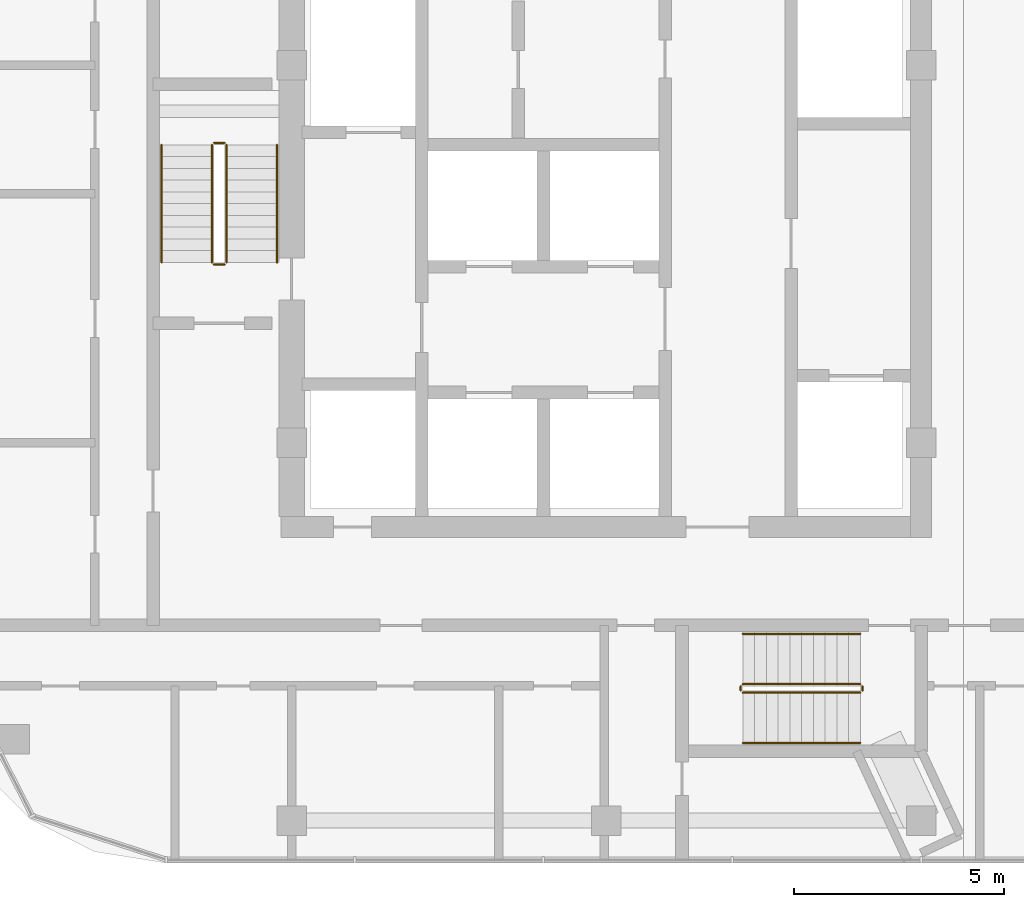
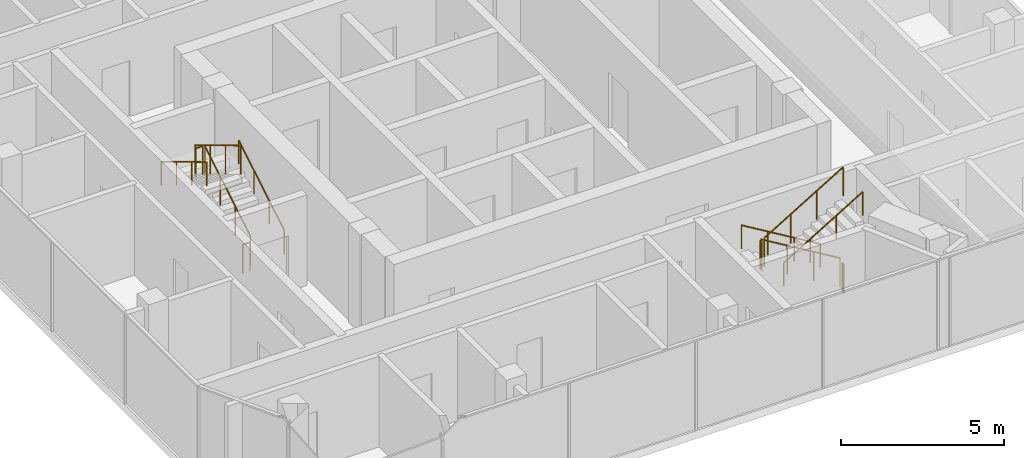
# One storey, part 35 of 35: 12 railings.
"""IFC4 building model written with IfcOpenShell, lengths in metres."""

import ifcopenshell
import ifcopenshell.guid

model = None  # the IFC model being written
_history = None  # IfcOwnerHistory: only IFC2X3 demands one
_inside = {}  # id of a spatial element -> (the spatial element, [elements in it])
_under = {}  # id of a project, library or spatial element -> (it, [spatial elements below it])
_declared = {}  # id of a project -> (the project, [libraries it declares])
_typed = {}  # id of a type object -> (the type object, [elements of that type])
_made_of = {}  # id of a material, layer set ... -> (it, [elements and type objects made of it])


def new_model(schema):
    """Start an empty IFC model of exactly this schema.

    Asked for "IFC4X3", IfcOpenShell would pick the latest addendum, in which some entities
    have other attributes; the version numbers below select the first issue.
    IFC2X3 requires an IfcOwnerHistory on every rooted entity: one is made here for all.
    """
    global model, _history
    if schema == "IFC4X3":
        model = ifcopenshell.file(schema_version=(4, 3, 0, 0))
    else:
        model = ifcopenshell.file(schema=schema)
    _inside.clear()
    _under.clear()
    _declared.clear()
    _typed.clear()
    _made_of.clear()
    _history = None
    if model.schema == "IFC2X3":
        org = make("IfcOrganization", Name="unknown")
        user = make(
            "IfcPersonAndOrganization",
            ThePerson=make("IfcPerson", FamilyName="unknown"),
            TheOrganization=org,
        )
        app = make(
            "IfcApplication",
            ApplicationDeveloper=org,
            Version="unknown",
            ApplicationFullName="unknown",
            ApplicationIdentifier="unknown",
        )
        _history = make(
            "IfcOwnerHistory",
            OwningUser=user,
            OwningApplication=app,
            ChangeAction="ADDED",
            CreationDate=0,
        )
    return model


def make(cls, **values):
    """One entity of the class cls with the attributes given. An attribute that is None is left unset."""
    return model.create_entity(
        cls, **{name: value for name, value in values.items() if value is not None}
    )


def rooted(cls, **values):
    """An entity with a GlobalId (a new one), such as an element, a storey or a relation."""
    return make(cls, GlobalId=ifcopenshell.guid.new(), OwnerHistory=_history, **values)


def si_unit(unit_type, name, prefix=None):
    """IfcSIUnit, for example si_unit("LENGTHUNIT", "METRE", prefix="MILLI")."""
    return make("IfcSIUnit", UnitType=unit_type, Prefix=prefix, Name=name)


def assignment(units):
    """IfcUnitAssignment: the units of a project."""
    return None if units is None else make("IfcUnitAssignment", Units=units)


def point(xyz):
    """IfcCartesianPoint."""
    return None if xyz is None else make("IfcCartesianPoint", Coordinates=xyz)


def direction(xyz):
    """IfcDirection."""
    return None if xyz is None else make("IfcDirection", DirectionRatios=xyz)


def frame(location, z_axis=None, x_axis=None):
    """IfcAxis2Placement3D, a coordinate frame: its origin and axes. An axis left out is left unset."""
    return make(
        "IfcAxis2Placement3D",
        Location=point(location),
        Axis=direction(z_axis),
        RefDirection=direction(x_axis),
    )


def frame_2d(location, x_axis=None):
    """IfcAxis2Placement2D, a coordinate frame in the plane: its origin and x axis."""
    return make(
        "IfcAxis2Placement2D", Location=point(location), RefDirection=direction(x_axis)
    )


def origin():
    """The frame at (0, 0, 0) with its axes left unset."""
    return frame((0.0, 0.0, 0.0))


def origin_2d():
    """The frame at (0, 0) in the plane with its x axis left unset."""
    return frame_2d((0.0, 0.0))


def place(relative_to, where):
    """IfcLocalPlacement: puts the frame where relative to a parent placement (None: the world)."""
    return make(
        "IfcLocalPlacement", PlacementRelTo=relative_to, RelativePlacement=where
    )


def context(
    kind, dimensions, precision=None, world=None, true_north=None, identifier=None
):
    """IfcGeometricRepresentationContext, for example the 3D "Model" context."""
    return make(
        "IfcGeometricRepresentationContext",
        ContextIdentifier=identifier,
        ContextType=kind,
        CoordinateSpaceDimension=dimensions,
        Precision=precision,
        WorldCoordinateSystem=world,
        TrueNorth=true_north,
    )


def subcontext(parent, identifier, kind, view, scale=None):
    """IfcGeometricRepresentationSubContext, for example "Body" below "Model"."""
    return make(
        "IfcGeometricRepresentationSubContext",
        ContextIdentifier=identifier,
        ContextType=kind,
        ParentContext=parent,
        TargetScale=scale,
        TargetView=view,
    )


def project(units=None, contexts=None):
    """IfcProject with its units and contexts."""
    return rooted(
        "IfcProject",
        Name="project",
        RepresentationContexts=contexts,
        UnitsInContext=assignment(units),
    )


def spatial(cls, under=None, at=None, **own):
    """A site, building, storey or space (cls), placed at a placement, below another one or the project."""
    s = rooted(cls, ObjectPlacement=at, **own)
    if under is not None:
        _under.setdefault(under.id(), (under, []))[1].append(s)
    return s


def profile(cls, at=None, kind="AREA", **sizes):
    """A parametric profile (cls). Its sizes go by their IFC names, for example OverallWidth=200.0."""
    return make(cls, ProfileType=kind, Position=at, **sizes)


def circle(**sizes):
    """IfcCircleProfileDef."""
    return profile("IfcCircleProfileDef", **sizes)


def extrude(swept, where, along, depth):
    """IfcExtrudedAreaSolid: the profile swept, set in the frame where, extruded along a direction by depth."""
    return make(
        "IfcExtrudedAreaSolid",
        SweptArea=swept,
        Position=where,
        ExtrudedDirection=direction(along),
        Depth=depth,
    )


def shape(context_of_items, identifier, shape_type, items):
    """IfcShapeRepresentation: the items that make up one representation, for example the "Body"."""
    return make(
        "IfcShapeRepresentation",
        ContextOfItems=context_of_items,
        RepresentationIdentifier=identifier,
        RepresentationType=shape_type,
        Items=items,
    )


def material(Name=None, Category=None):
    """IfcMaterial."""
    return make("IfcMaterial", Name=Name, Category=Category)


def made_of(thing, what):
    """Note that an element or type object is made of a material, layer set ...; save() writes the relation."""
    if what is not None:
        _made_of.setdefault(what.id(), (what, []))[1].append(thing)
    return thing


def type_object(cls, material=None, **own):
    """A type object (cls), such as IfcWallType, which elements share."""
    return made_of(rooted(cls, **own), material)


def element(
    cls,
    number,
    at=None,
    inside=None,
    cuts=None,
    type_object=None,
    material=None,
    context=None,
    identifier="Body",
    shape_type=None,
    held_by="IfcProductDefinitionShape",
    body=None,
    shapes=None,
    **own,
):
    """One element of the class cls, such as IfcWall. Its Tag is "e" and its number.

    at: its placement. inside: the storey or other place that contains it. cuts: it is an
    opening in that element (IfcRelVoidsElement). A single representation is given by context,
    identifier, shape_type and body (its items); several are given by shapes. held_by: the class
    of the entity that holds the representations. save() writes the other relations.
    """
    e = rooted(cls, Tag="e%d" % number, ObjectPlacement=at, **own)
    if body is not None:
        shapes = [shape(context, identifier, shape_type, body)]
    if shapes is not None:
        e.Representation = make(held_by, Representations=shapes)
    if inside is not None:
        _inside.setdefault(inside.id(), (inside, []))[1].append(e)
    if cuts is not None:
        rooted(
            "IfcRelVoidsElement", RelatingBuildingElement=cuts, RelatedOpeningElement=e
        )
    if type_object is not None:
        _typed.setdefault(type_object.id(), (type_object, []))[1].append(e)
    return made_of(e, material)


def aggregate(whole, parts):
    """IfcRelAggregates: a whole, such as a stair, and the parts it consists of."""
    return rooted("IfcRelAggregates", RelatingObject=whole, RelatedObjects=parts)


def save(model, path):
    """Write the relations noted so far, then the file.

    IfcRelAggregates (storeys below a building ...), IfcRelContainedInSpatialStructure (elements
    in a storey), IfcRelDefinesByType, IfcRelAssociatesMaterial and IfcRelDeclares: one each for
    every whole, place, type object, material and project.
    """
    for whole, parts in _under.values():
        aggregate(whole, parts)
    for where, things in _inside.values():
        rooted(
            "IfcRelContainedInSpatialStructure",
            RelatedElements=things,
            RelatingStructure=where,
        )
    for kind, things in _typed.values():
        rooted("IfcRelDefinesByType", RelatedObjects=things, RelatingType=kind)
    for what, things in _made_of.values():
        rooted("IfcRelAssociatesMaterial", RelatedObjects=things, RelatingMaterial=what)
    for by, libraries in _declared.values():
        rooted("IfcRelDeclares", RelatingContext=by, RelatedDefinitions=libraries)
    model.write(path)


model = new_model("IFC4")

# Units and contexts
model_context = context("Model", 3, precision=1e-05, world=origin(), true_north=direction((0.0, 1.0)))
body_context = subcontext(model_context, "Body", "Model", "MODEL_VIEW")
ifc_project = project(units=[si_unit("LENGTHUNIT", "METRE"), si_unit("AREAUNIT", "SQUARE_METRE"), si_unit("VOLUMEUNIT", "CUBIC_METRE"), si_unit("PLANEANGLEUNIT", "RADIAN"), si_unit("MASSUNIT", "GRAM", prefix="KILO")], contexts=[model_context])

# Site, building, storey
site_placement = place(None, origin())
site = spatial("IfcSite", under=ifc_project, at=site_placement, CompositionType="ELEMENT")
building_placement = place(site_placement, origin())
building = spatial("IfcBuilding", under=site, at=building_placement, Name="Ogive Portal Towers", CompositionType="ELEMENT")
storey_placement = place(building_placement, frame((0.0, 0.0, 90.800048828125)))
storey = spatial("IfcBuildingStorey", under=building, at=storey_placement, Name="L21", CompositionType="ELEMENT", Elevation=90.800048828125)

# Railings
ifc_material_1 = material(Name="Stainless steel balustrade", Category="steel")
railing_type_1 = type_object("IfcRailingType", Name="INT-GUARD", PredefinedType="GUARDRAIL", material=ifc_material_1)
railing_1_placement = place(storey_placement, frame((127.449951171875, 30.800048828125, 0.168212890625)))
element("IfcRailing", 1, at=railing_1_placement, inside=storey, type_object=railing_type_1, Name="L21 ST-B1 stair guard 1", PredefinedType="GUARDRAIL", context=body_context, shape_type="SweptSolid", body=[
    extrude(circle(Radius=0.02392578125, at=origin_2d()), frame((0.0, 0.0, 1.076171875), z_axis=(0.0, 0.857275202839, 0.514858452973), x_axis=(-1.0, 0.0, 0.0)), (0.0, 0.0, 1.0), 3.26611328125),
    extrude(circle(Radius=0.02099609375, at=origin_2d()), origin(), (0.0, 0.0, 1.0), 1.052001953125),
    extrude(circle(Radius=0.02099609375, at=origin_2d()), frame((0.0, 0.933349609375, 0.560546875)), (0.0, 0.0, 1.0), 1.052001953125),
    extrude(circle(Radius=0.02099609375, at=origin_2d()), frame((0.0, 1.86669921875, 1.12109375)), (0.0, 0.0, 1.0), 1.052001953125),
    extrude(circle(Radius=0.02099609375, at=origin_2d()), frame((0.0, 2.800048828125, 1.681640625)), (0.0, 0.0, 1.0), 1.052001953125),
])
railing_2_placement = place(storey_placement, frame((127.39990234375, 33.64990234375, 1.849853515625)))
element("IfcRailing", 2, at=railing_2_placement, inside=storey, type_object=railing_type_1, Name="L21 ST-B1 stair guard 2", PredefinedType="GUARDRAIL", context=body_context, shape_type="SweptSolid", body=[
    extrude(circle(Radius=0.02392578125, at=origin_2d()), frame((0.0, 0.0, 1.076171875), z_axis=(-1.0, 0.0, 0.0), x_axis=(0.0, -1.0, 0.0)), (0.0, 0.0, 1.0), 0.25),
    extrude(circle(Radius=0.02099609375, at=origin_2d()), origin(), (0.0, 0.0, 1.0), 1.052001953125),
    extrude(circle(Radius=0.02099609375, at=origin_2d()), frame((-0.25, 0.0, 0.0)), (0.0, 0.0, 1.0), 1.052001953125),
])
railing_3_placement = place(storey_placement, frame((127.10009765625, 33.60009765625, 2.01806640625)))
element("IfcRailing", 3, at=railing_3_placement, inside=storey, type_object=railing_type_1, Name="L21 ST-B1 stair guard 3", PredefinedType="GUARDRAIL", context=body_context, shape_type="SweptSolid", body=[
    extrude(circle(Radius=0.02392578125, at=origin_2d()), frame((0.0, 0.0, 1.076171875), z_axis=(0.0, -0.857242210791, 0.514913383045), x_axis=(1.0, 0.0, 0.0)), (0.0, 0.0, 1.0), 3.266357421875),
    extrude(circle(Radius=0.02099609375, at=origin_2d()), origin(), (0.0, 0.0, 1.0), 1.052001953125),
    extrude(circle(Radius=0.02099609375, at=origin_2d()), frame((0.0, -0.933349609375, 0.560546875)), (0.0, 0.0, 1.0), 1.052001953125),
    extrude(circle(Radius=0.02099609375, at=origin_2d()), frame((0.0, -1.86669921875, 1.121337890625)), (0.0, 0.0, 1.0), 1.052001953125),
    extrude(circle(Radius=0.02099609375, at=origin_2d()), frame((0.0, -2.800048828125, 1.681884765625)), (0.0, 0.0, 1.0), 1.052001953125),
])
railing_4_placement = place(storey_placement, frame((127.39990234375, 30.75, 0.0)))
element("IfcRailing", 4, at=railing_4_placement, inside=storey, type_object=railing_type_1, Name="L21 ST-B1 stair guard 4", PredefinedType="GUARDRAIL", context=body_context, shape_type="SweptSolid", body=[
    extrude(circle(Radius=0.02392578125, at=origin_2d()), frame((0.0, 0.0, 1.076171875), z_axis=(-1.0, 0.0, 0.0), x_axis=(0.0, -1.0, 0.0)), (0.0, 0.0, 1.0), 0.25),
    extrude(circle(Radius=0.02099609375, at=origin_2d()), origin(), (0.0, 0.0, 1.0), 1.052001953125),
    extrude(circle(Radius=0.02099609375, at=origin_2d()), frame((-0.25, 0.0, 0.0)), (0.0, 0.0, 1.0), 1.052001953125),
])
railing_5_placement = place(storey_placement, frame((142.550048828125, 20.75, 0.168212890625)))
element("IfcRailing", 5, at=railing_5_placement, inside=storey, type_object=railing_type_1, Name="L21 ST-B2 stair guard 1", PredefinedType="GUARDRAIL", context=body_context, shape_type="SweptSolid", body=[
    extrude(circle(Radius=0.02392578125, at=origin_2d()), frame((0.0, 0.0, 1.076171875), z_axis=(-0.857275202839, 0.0, 0.514858452973), x_axis=(0.0, -1.0, 0.0)), (0.0, 0.0, 1.0), 3.26611328125),
    extrude(circle(Radius=0.02099609375, at=origin_2d()), origin(), (0.0, 0.0, 1.0), 1.052001953125),
    extrude(circle(Radius=0.02099609375, at=origin_2d()), frame((-0.933349609375, 0.0, 0.560546875)), (0.0, 0.0, 1.0), 1.052001953125),
    extrude(circle(Radius=0.02099609375, at=origin_2d()), frame((-1.86669921875, 0.0, 1.12109375)), (0.0, 0.0, 1.0), 1.052001953125),
    extrude(circle(Radius=0.02099609375, at=origin_2d()), frame((-2.800048828125, 0.0, 1.681640625)), (0.0, 0.0, 1.0), 1.052001953125),
])
railing_6_placement = place(storey_placement, frame((139.699951171875, 20.699951171875, 1.849853515625)))
element("IfcRailing", 6, at=railing_6_placement, inside=storey, type_object=railing_type_1, Name="L21 ST-B2 stair guard 2", PredefinedType="GUARDRAIL", context=body_context, shape_type="SweptSolid", body=[
    extrude(circle(Radius=0.02392578125, at=origin_2d()), frame((0.0, 0.0, 1.076171875), z_axis=(0.0, -1.0, 0.0), x_axis=(1.0, 0.0, 0.0)), (0.0, 0.0, 1.0), 0.099853515625),
    extrude(circle(Radius=0.02099609375, at=origin_2d()), origin(), (0.0, 0.0, 1.0), 1.052001953125),
    extrude(circle(Radius=0.02099609375, at=origin_2d()), frame((0.0, -0.099853515625, 0.0)), (0.0, 0.0, 1.0), 1.052001953125),
])
railing_7_placement = place(storey_placement, frame((139.75, 20.550048828125, 2.01806640625)))
element("IfcRailing", 7, at=railing_7_placement, inside=storey, type_object=railing_type_1, Name="L21 ST-B2 stair guard 3", PredefinedType="GUARDRAIL", context=body_context, shape_type="SweptSolid", body=[
    extrude(circle(Radius=0.02392578125, at=origin_2d()), frame((0.0, 0.0, 1.076171875), z_axis=(0.857242210791, 0.0, 0.514913383045), x_axis=(0.0, 1.0, 0.0)), (0.0, 0.0, 1.0), 3.266357421875),
    extrude(circle(Radius=0.02099609375, at=origin_2d()), origin(), (0.0, 0.0, 1.0), 1.052001953125),
    extrude(circle(Radius=0.02099609375, at=origin_2d()), frame((0.933349609375, 0.0, 0.560546875)), (0.0, 0.0, 1.0), 1.052001953125),
    extrude(circle(Radius=0.02099609375, at=origin_2d()), frame((1.86669921875, 0.0, 1.121337890625)), (0.0, 0.0, 1.0), 1.052001953125),
    extrude(circle(Radius=0.02099609375, at=origin_2d()), frame((2.800048828125, 0.0, 1.681884765625)), (0.0, 0.0, 1.0), 1.052001953125),
])
railing_8_placement = place(storey_placement, frame((142.60009765625, 20.699951171875, 0.0)))
element("IfcRailing", 8, at=railing_8_placement, inside=storey, type_object=railing_type_1, Name="L21 ST-B2 stair guard 4", PredefinedType="GUARDRAIL", context=body_context, shape_type="SweptSolid", body=[
    extrude(circle(Radius=0.02392578125, at=origin_2d()), frame((0.0, 0.0, 1.076171875), z_axis=(0.0, -1.0, 0.0), x_axis=(1.0, 0.0, 0.0)), (0.0, 0.0, 1.0), 0.099853515625),
    extrude(circle(Radius=0.02099609375, at=origin_2d()), origin(), (0.0, 0.0, 1.0), 1.052001953125),
    extrude(circle(Radius=0.02099609375, at=origin_2d()), frame((0.0, -0.099853515625, 0.0)), (0.0, 0.0, 1.0), 1.052001953125),
])
ifc_material_2 = material(Name="Stainless steel handrail", Category="steel")
railing_type_2 = type_object("IfcRailingType", Name="INT-HANDRAIL", PredefinedType="HANDRAIL", material=ifc_material_2)
railing_9_placement = place(storey_placement, frame((128.64990234375, 30.800048828125, 0.168212890625)))
element("IfcRailing", 9, at=railing_9_placement, inside=storey, type_object=railing_type_2, Name="L21 ST-B1 stair handrail 1", PredefinedType="HANDRAIL", context=body_context, shape_type="SweptSolid", body=[
    extrude(circle(Radius=0.02392578125, at=origin_2d()), frame((0.0, 0.0, 0.8759765625), z_axis=(0.0, 0.857275202839, 0.514858452973), x_axis=(-1.0, 0.0, 0.0)), (0.0, 0.0, 1.0), 3.26611328125),
    extrude(circle(Radius=0.02099609375, at=origin_2d()), origin(), (0.0, 0.0, 1.0), 0.851806640625),
    extrude(circle(Radius=0.02099609375, at=origin_2d()), frame((0.0, 0.933349609375, 0.560546875)), (0.0, 0.0, 1.0), 0.851806640625),
    extrude(circle(Radius=0.02099609375, at=origin_2d()), frame((0.0, 1.86669921875, 1.12109375)), (0.0, 0.0, 1.0), 0.851806640625),
    extrude(circle(Radius=0.02099609375, at=origin_2d()), frame((0.0, 2.800048828125, 1.681640625)), (0.0, 0.0, 1.0), 0.851806640625),
])
railing_10_placement = place(storey_placement, frame((125.89990234375, 33.60009765625, 2.01806640625)))
element("IfcRailing", 10, at=railing_10_placement, inside=storey, type_object=railing_type_2, Name="L21 ST-B1 stair handrail 2", PredefinedType="HANDRAIL", context=body_context, shape_type="SweptSolid", body=[
    extrude(circle(Radius=0.02392578125, at=origin_2d()), frame((0.0, 0.0, 0.8759765625), z_axis=(0.0, -0.857242210791, 0.514913383045), x_axis=(1.0, 0.0, 0.0)), (0.0, 0.0, 1.0), 3.266357421875),
    extrude(circle(Radius=0.02099609375, at=origin_2d()), origin(), (0.0, 0.0, 1.0), 0.851806640625),
    extrude(circle(Radius=0.02099609375, at=origin_2d()), frame((0.0, -0.933349609375, 0.560546875)), (0.0, 0.0, 1.0), 0.851806640625),
    extrude(circle(Radius=0.02099609375, at=origin_2d()), frame((0.0, -1.86669921875, 1.121337890625)), (0.0, 0.0, 1.0), 0.851806640625),
    extrude(circle(Radius=0.02099609375, at=origin_2d()), frame((0.0, -2.800048828125, 1.681884765625)), (0.0, 0.0, 1.0), 0.851806640625),
])
railing_11_placement = place(storey_placement, frame((142.550048828125, 21.949951171875, 0.168212890625)))
element("IfcRailing", 11, at=railing_11_placement, inside=storey, type_object=railing_type_2, Name="L21 ST-B2 stair handrail 1", PredefinedType="HANDRAIL", context=body_context, shape_type="SweptSolid", body=[
    extrude(circle(Radius=0.02392578125, at=origin_2d()), frame((0.0, 0.0, 0.8759765625), z_axis=(-0.857275202839, 0.0, 0.514858452973), x_axis=(0.0, -1.0, 0.0)), (0.0, 0.0, 1.0), 3.26611328125),
    extrude(circle(Radius=0.02099609375, at=origin_2d()), origin(), (0.0, 0.0, 1.0), 0.851806640625),
    extrude(circle(Radius=0.02099609375, at=origin_2d()), frame((-0.933349609375, 0.0, 0.560546875)), (0.0, 0.0, 1.0), 0.851806640625),
    extrude(circle(Radius=0.02099609375, at=origin_2d()), frame((-1.86669921875, 0.0, 1.12109375)), (0.0, 0.0, 1.0), 0.851806640625),
    extrude(circle(Radius=0.02099609375, at=origin_2d()), frame((-2.800048828125, 0.0, 1.681640625)), (0.0, 0.0, 1.0), 0.851806640625),
])
railing_12_placement = place(storey_placement, frame((139.75, 19.35009765625, 2.01806640625)))
element("IfcRailing", 12, at=railing_12_placement, inside=storey, type_object=railing_type_2, Name="L21 ST-B2 stair handrail 2", PredefinedType="HANDRAIL", context=body_context, shape_type="SweptSolid", body=[
    extrude(circle(Radius=0.02392578125, at=origin_2d()), frame((0.0, 0.0, 0.8759765625), z_axis=(0.857242210791, 0.0, 0.514913383045), x_axis=(0.0, 1.0, 0.0)), (0.0, 0.0, 1.0), 3.266357421875),
    extrude(circle(Radius=0.02099609375, at=origin_2d()), origin(), (0.0, 0.0, 1.0), 0.851806640625),
    extrude(circle(Radius=0.02099609375, at=origin_2d()), frame((0.933349609375, 0.0, 0.560546875)), (0.0, 0.0, 1.0), 0.851806640625),
    extrude(circle(Radius=0.02099609375, at=origin_2d()), frame((1.86669921875, 0.0, 1.121337890625)), (0.0, 0.0, 1.0), 0.851806640625),
    extrude(circle(Radius=0.02099609375, at=origin_2d()), frame((2.800048828125, 0.0, 1.681884765625)), (0.0, 0.0, 1.0), 0.851806640625),
])

save(model, "model.ifc")
